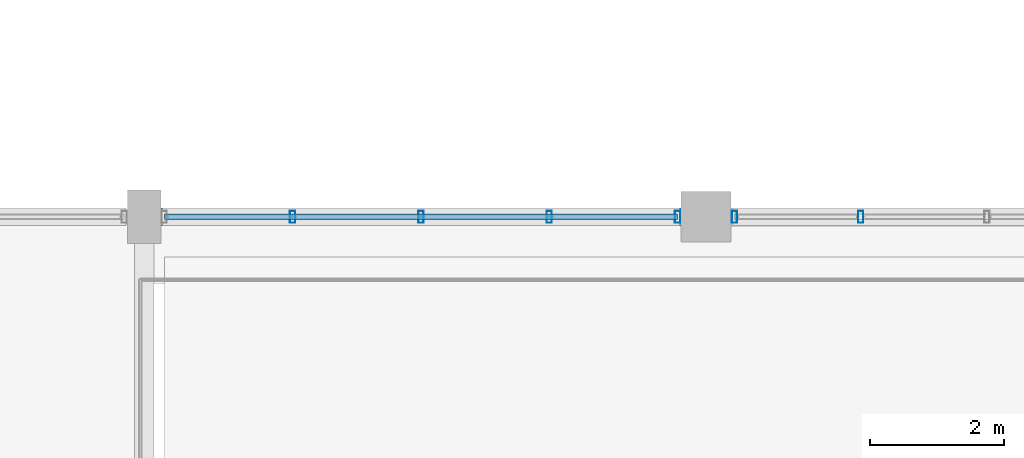
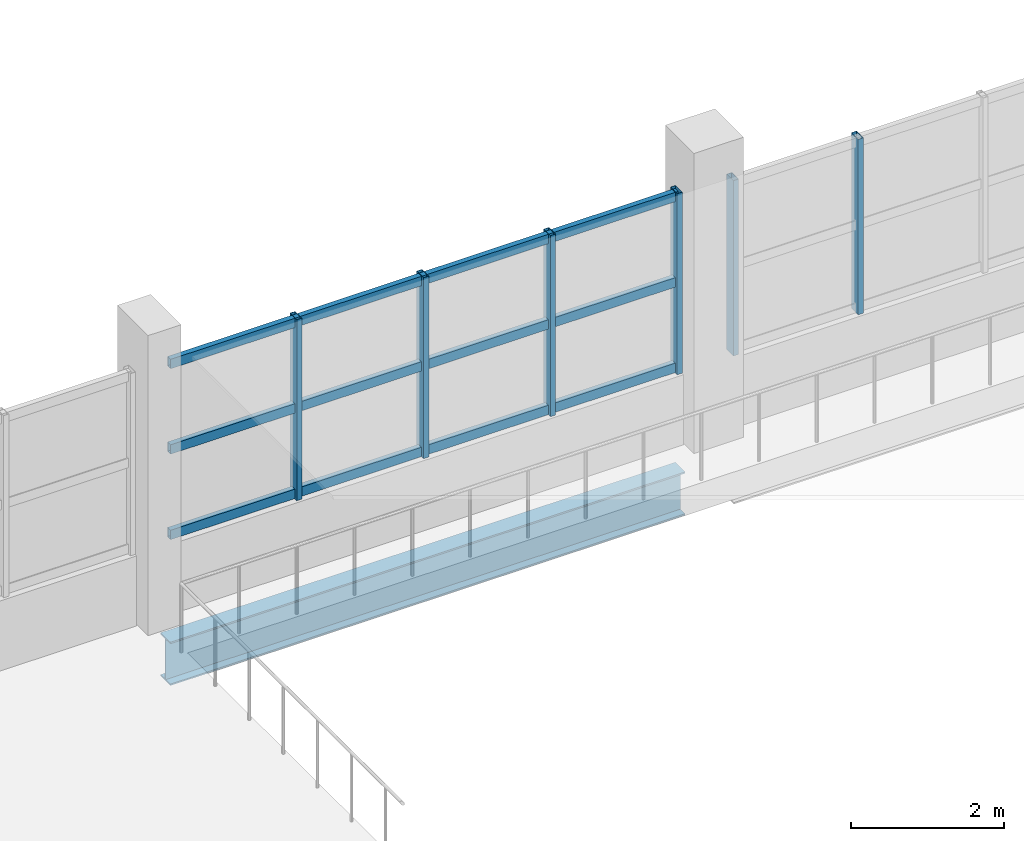
# One storey, part 35 of 77: 9 members, 1 beam, 2 elements without a shape of their own.
"""IFC4 building model written with IfcOpenShell, lengths in metres."""

import ifcopenshell
import ifcopenshell.guid

model = None  # the IFC model being written
_history = None  # IfcOwnerHistory: only IFC2X3 demands one
_inside = {}  # id of a spatial element -> (the spatial element, [elements in it])
_under = {}  # id of a project, library or spatial element -> (it, [spatial elements below it])
_declared = {}  # id of a project -> (the project, [libraries it declares])
_typed = {}  # id of a type object -> (the type object, [elements of that type])
_made_of = {}  # id of a material, layer set ... -> (it, [elements and type objects made of it])


def new_model(schema):
    """Start an empty IFC model of exactly this schema.

    Asked for "IFC4X3", IfcOpenShell would pick the latest addendum, in which some entities
    have other attributes; the version numbers below select the first issue.
    IFC2X3 requires an IfcOwnerHistory on every rooted entity: one is made here for all.
    """
    global model, _history
    if schema == "IFC4X3":
        model = ifcopenshell.file(schema_version=(4, 3, 0, 0))
    else:
        model = ifcopenshell.file(schema=schema)
    _inside.clear()
    _under.clear()
    _declared.clear()
    _typed.clear()
    _made_of.clear()
    _history = None
    if model.schema == "IFC2X3":
        org = make("IfcOrganization", Name="unknown")
        user = make(
            "IfcPersonAndOrganization",
            ThePerson=make("IfcPerson", FamilyName="unknown"),
            TheOrganization=org,
        )
        app = make(
            "IfcApplication",
            ApplicationDeveloper=org,
            Version="unknown",
            ApplicationFullName="unknown",
            ApplicationIdentifier="unknown",
        )
        _history = make(
            "IfcOwnerHistory",
            OwningUser=user,
            OwningApplication=app,
            ChangeAction="ADDED",
            CreationDate=0,
        )
    return model


def make(cls, **values):
    """One entity of the class cls with the attributes given. An attribute that is None is left unset."""
    return model.create_entity(
        cls, **{name: value for name, value in values.items() if value is not None}
    )


def rooted(cls, **values):
    """An entity with a GlobalId (a new one), such as an element, a storey or a relation."""
    return make(cls, GlobalId=ifcopenshell.guid.new(), OwnerHistory=_history, **values)


def si_unit(unit_type, name, prefix=None):
    """IfcSIUnit, for example si_unit("LENGTHUNIT", "METRE", prefix="MILLI")."""
    return make("IfcSIUnit", UnitType=unit_type, Prefix=prefix, Name=name)


def assignment(units):
    """IfcUnitAssignment: the units of a project."""
    return None if units is None else make("IfcUnitAssignment", Units=units)


def point(xyz):
    """IfcCartesianPoint."""
    return None if xyz is None else make("IfcCartesianPoint", Coordinates=xyz)


def direction(xyz):
    """IfcDirection."""
    return None if xyz is None else make("IfcDirection", DirectionRatios=xyz)


def frame(location, z_axis=None, x_axis=None):
    """IfcAxis2Placement3D, a coordinate frame: its origin and axes. An axis left out is left unset."""
    return make(
        "IfcAxis2Placement3D",
        Location=point(location),
        Axis=direction(z_axis),
        RefDirection=direction(x_axis),
    )


def frame_2d(location, x_axis=None):
    """IfcAxis2Placement2D, a coordinate frame in the plane: its origin and x axis."""
    return make(
        "IfcAxis2Placement2D", Location=point(location), RefDirection=direction(x_axis)
    )


def origin():
    """The frame at (0, 0, 0) with its axes left unset."""
    return frame((0.0, 0.0, 0.0))


def origin_2d():
    """The frame at (0, 0) in the plane with its x axis left unset."""
    return frame_2d((0.0, 0.0))


def place(relative_to, where):
    """IfcLocalPlacement: puts the frame where relative to a parent placement (None: the world)."""
    return make(
        "IfcLocalPlacement", PlacementRelTo=relative_to, RelativePlacement=where
    )


def context(
    kind, dimensions, precision=None, world=None, true_north=None, identifier=None
):
    """IfcGeometricRepresentationContext, for example the 3D "Model" context."""
    return make(
        "IfcGeometricRepresentationContext",
        ContextIdentifier=identifier,
        ContextType=kind,
        CoordinateSpaceDimension=dimensions,
        Precision=precision,
        WorldCoordinateSystem=world,
        TrueNorth=true_north,
    )


def subcontext(parent, identifier, kind, view, scale=None):
    """IfcGeometricRepresentationSubContext, for example "Body" below "Model"."""
    return make(
        "IfcGeometricRepresentationSubContext",
        ContextIdentifier=identifier,
        ContextType=kind,
        ParentContext=parent,
        TargetScale=scale,
        TargetView=view,
    )


def project(units=None, contexts=None):
    """IfcProject with its units and contexts."""
    return rooted(
        "IfcProject",
        Name="project",
        RepresentationContexts=contexts,
        UnitsInContext=assignment(units),
    )


def spatial(cls, under=None, at=None, **own):
    """A site, building, storey or space (cls), placed at a placement, below another one or the project."""
    s = rooted(cls, ObjectPlacement=at, **own)
    if under is not None:
        _under.setdefault(under.id(), (under, []))[1].append(s)
    return s


def profile(cls, at=None, kind="AREA", **sizes):
    """A parametric profile (cls). Its sizes go by their IFC names, for example OverallWidth=200.0."""
    return make(cls, ProfileType=kind, Position=at, **sizes)


def hollow_rectangle(**sizes):
    """IfcRectangleHollowProfileDef."""
    return profile("IfcRectangleHollowProfileDef", **sizes)


def i_section(**sizes):
    """IfcIShapeProfileDef."""
    return profile("IfcIShapeProfileDef", **sizes)


def extrude(swept, where, along, depth):
    """IfcExtrudedAreaSolid: the profile swept, set in the frame where, extruded along a direction by depth."""
    return make(
        "IfcExtrudedAreaSolid",
        SweptArea=swept,
        Position=where,
        ExtrudedDirection=direction(along),
        Depth=depth,
    )


def shape(context_of_items, identifier, shape_type, items):
    """IfcShapeRepresentation: the items that make up one representation, for example the "Body"."""
    return make(
        "IfcShapeRepresentation",
        ContextOfItems=context_of_items,
        RepresentationIdentifier=identifier,
        RepresentationType=shape_type,
        Items=items,
    )


def material(Name=None, Category=None):
    """IfcMaterial."""
    return make("IfcMaterial", Name=Name, Category=Category)


def material_profile(
    of_material, cross_section, Name=None, Category=None, Priority=None
):
    """IfcMaterialProfile: a cross section and its material."""
    return make(
        "IfcMaterialProfile",
        Name=Name,
        Material=of_material,
        Profile=cross_section,
        Priority=Priority,
        Category=Category,
    )


def profile_set(profiles, Name=None, composite=None):
    """IfcMaterialProfileSet."""
    return make(
        "IfcMaterialProfileSet",
        Name=Name,
        MaterialProfiles=profiles,
        CompositeProfile=composite,
    )


def made_of(thing, what):
    """Note that an element or type object is made of a material, layer set ...; save() writes the relation."""
    if what is not None:
        _made_of.setdefault(what.id(), (what, []))[1].append(thing)
    return thing


def type_object(cls, material=None, **own):
    """A type object (cls), such as IfcWallType, which elements share."""
    return made_of(rooted(cls, **own), material)


def element(
    cls,
    number,
    at=None,
    inside=None,
    cuts=None,
    type_object=None,
    material=None,
    context=None,
    identifier="Body",
    shape_type=None,
    held_by="IfcProductDefinitionShape",
    body=None,
    shapes=None,
    **own,
):
    """One element of the class cls, such as IfcWall. Its Tag is "e" and its number.

    at: its placement. inside: the storey or other place that contains it. cuts: it is an
    opening in that element (IfcRelVoidsElement). A single representation is given by context,
    identifier, shape_type and body (its items); several are given by shapes. held_by: the class
    of the entity that holds the representations. save() writes the other relations.
    """
    e = rooted(cls, Tag="e%d" % number, ObjectPlacement=at, **own)
    if body is not None:
        shapes = [shape(context, identifier, shape_type, body)]
    if shapes is not None:
        e.Representation = make(held_by, Representations=shapes)
    if inside is not None:
        _inside.setdefault(inside.id(), (inside, []))[1].append(e)
    if cuts is not None:
        rooted(
            "IfcRelVoidsElement", RelatingBuildingElement=cuts, RelatedOpeningElement=e
        )
    if type_object is not None:
        _typed.setdefault(type_object.id(), (type_object, []))[1].append(e)
    return made_of(e, material)


def aggregate(whole, parts):
    """IfcRelAggregates: a whole, such as a stair, and the parts it consists of."""
    return rooted("IfcRelAggregates", RelatingObject=whole, RelatedObjects=parts)


def save(model, path):
    """Write the relations noted so far, then the file.

    IfcRelAggregates (storeys below a building ...), IfcRelContainedInSpatialStructure (elements
    in a storey), IfcRelDefinesByType, IfcRelAssociatesMaterial and IfcRelDeclares: one each for
    every whole, place, type object, material and project.
    """
    for whole, parts in _under.values():
        aggregate(whole, parts)
    for where, things in _inside.values():
        rooted(
            "IfcRelContainedInSpatialStructure",
            RelatedElements=things,
            RelatingStructure=where,
        )
    for kind, things in _typed.values():
        rooted("IfcRelDefinesByType", RelatedObjects=things, RelatingType=kind)
    for what, things in _made_of.values():
        rooted("IfcRelAssociatesMaterial", RelatedObjects=things, RelatingMaterial=what)
    for by, libraries in _declared.values():
        rooted("IfcRelDeclares", RelatingContext=by, RelatedDefinitions=libraries)
    model.write(path)


model = new_model("IFC4")

# Units and contexts
model_context = context("Model", 3, precision=1e-05, world=origin(), true_north=direction((0.0, 1.0)))
body_context = subcontext(model_context, "Body", "Model", "MODEL_VIEW")
ifc_project = project(units=[si_unit("LENGTHUNIT", "METRE"), si_unit("AREAUNIT", "SQUARE_METRE"), si_unit("VOLUMEUNIT", "CUBIC_METRE"), si_unit("PLANEANGLEUNIT", "RADIAN"), si_unit("MASSUNIT", "GRAM", prefix="KILO")], contexts=[model_context])

# Site, building, storey
site_placement = place(None, origin())
site = spatial("IfcSite", under=ifc_project, at=site_placement, CompositionType="ELEMENT")
building_placement = place(site_placement, origin())
building = spatial("IfcBuilding", under=site, at=building_placement, Name="Solvento Point Concert Hall", CompositionType="ELEMENT")
storey_placement = place(building_placement, frame((0.0, 0.0, 10.199951171875)))
storey = spatial("IfcBuildingStorey", under=building, at=storey_placement, Name="L02", CompositionType="ELEMENT", Elevation=10.199951171875)

# Beam
ifc_material_1 = material(Name="Structural Steel ASTM A992 Grade 50", Category="steel")
ifc_material_profile_1 = material_profile(ifc_material_1, i_section(OverallWidth=0.256103515625, OverallDepth=0.693115234375, WebThickness=0.014404296875, FlangeThickness=0.023681640625, at=origin_2d()), Name="W27X114")
ifc_profile_set_1 = profile_set([ifc_material_profile_1], Name="Structural Steel ASTM A992 Grade 50")
beam_type = type_object("IfcBeamType", Name="Girder_W27X114", PredefinedType="USERDEFINED", material=ifc_profile_set_1)
beam_placement = place(storey_placement, frame((158.64404296875, 25.5, -0.79052734375), z_axis=(1.0, 0.0, 0.0), x_axis=(0.0, 1.0, 0.0)))
element("IfcBeam", 1, at=beam_placement, inside=storey, type_object=beam_type, Name="Primary girder B-23 L02", ObjectType="GIRDER", PredefinedType="USERDEFINED", context=body_context, shape_type="SweptSolid", body=[
    extrude(i_section(OverallWidth=0.256103515625, OverallDepth=0.693115234375, WebThickness=0.014404296875, FlangeThickness=0.023681640625, at=origin_2d()), origin(), (0.0, 0.0, 1.0), 7.786865234375),
])

# Curtain wall, members
ifc_material_2 = material(Name="Anodized Bronze Aluminium", Category="aluminium")
curtain_wall_type = type_object("IfcCurtainWallType", Name="CurtainWall_ChamberCircle", PredefinedType="USERDEFINED", material=ifc_material_2)
curtain_wall_1_placement = place(storey_placement, origin())
curtain_wall_1 = element("IfcCurtainWall", 2, at=curtain_wall_1_placement, inside=storey, type_object=curtain_wall_type, Name="Unitised curtain wall CW-32 UCW-L02-146", ObjectType="UNITISED CURTAIN WALL", PredefinedType="USERDEFINED")
ifc_material_3 = material(Name="Anodized Bronze Aluminium", Category="aluminium")
ifc_material_profile_2 = material_profile(ifc_material_3, hollow_rectangle(XDim=0.080078125, YDim=0.179931640625, WallThickness=0.00390625, at=origin_2d()), Name="CW-MUL-80X180")
ifc_profile_set_2 = profile_set([ifc_material_profile_2], Name="Anodized Bronze Aluminium")
member_type_1 = type_object("IfcMemberType", Name="Mullion_80x180", PredefinedType="MULLION", material=ifc_profile_set_2)
member_1_placement = place(storey_placement, frame((160.61865234375, 25.5, 1.1201171875), z_axis=(0.0, 0.0, 1.0), x_axis=(1.0, 0.0, 0.0)))
member_1 = element("IfcMember", 3, at=member_1_placement, type_object=member_type_1, Name="Curtain wall mullion ML-01", PredefinedType="MULLION", context=body_context, shape_type="SweptSolid", body=[
    extrude(hollow_rectangle(XDim=0.080078125, YDim=0.179931640625, WallThickness=0.00390625, at=origin_2d()), origin(), (0.0, 0.0, 1.0), 2.89404296875),
])
member_2_placement = place(storey_placement, frame((162.53759765625, 25.5, 1.1201171875), z_axis=(0.0, 0.0, 1.0), x_axis=(1.0, 0.0, 0.0)))
member_2 = element("IfcMember", 4, at=member_2_placement, type_object=member_type_1, Name="Curtain wall mullion ML-01", PredefinedType="MULLION", context=body_context, shape_type="SweptSolid", body=[
    extrude(hollow_rectangle(XDim=0.080078125, YDim=0.179931640625, WallThickness=0.00390625, at=origin_2d()), origin(), (0.0, 0.0, 1.0), 2.89404296875),
])
member_3_placement = place(storey_placement, frame((164.456298828125, 25.5, 1.1201171875), z_axis=(0.0, 0.0, 1.0), x_axis=(1.0, 0.0, 0.0)))
member_3 = element("IfcMember", 5, at=member_3_placement, type_object=member_type_1, Name="Curtain wall mullion ML-01", PredefinedType="MULLION", context=body_context, shape_type="SweptSolid", body=[
    extrude(hollow_rectangle(XDim=0.080078125, YDim=0.179931640625, WallThickness=0.00390625, at=origin_2d()), origin(), (0.0, 0.0, 1.0), 2.89404296875),
])
member_4_placement = place(storey_placement, frame((166.375, 25.5, 1.1201171875), z_axis=(0.0, 0.0, 1.0), x_axis=(1.0, 0.0, 0.0)))
member_4 = element("IfcMember", 6, at=member_4_placement, type_object=member_type_1, Name="Curtain wall mullion ML-01", PredefinedType="MULLION", context=body_context, shape_type="SweptSolid", body=[
    extrude(hollow_rectangle(XDim=0.080078125, YDim=0.179931640625, WallThickness=0.00390625, at=origin_2d()), origin(), (0.0, 0.0, 1.0), 2.89404296875),
])

curtain_wall_2_placement = place(storey_placement, origin())
curtain_wall_2 = element("IfcCurtainWall", 7, at=curtain_wall_2_placement, inside=storey, type_object=curtain_wall_type, Name="Unitised curtain wall CW-32 UCW-L02-147", ObjectType="UNITISED CURTAIN WALL", PredefinedType="USERDEFINED")
member_5_placement = place(storey_placement, frame((167.22509765625, 25.5, 1.1201171875), z_axis=(0.0, 0.0, 1.0), x_axis=(1.0, 0.0, 0.0)))
member_5 = element("IfcMember", 8, at=member_5_placement, type_object=member_type_1, Name="Curtain wall mullion ML-01", PredefinedType="MULLION", context=body_context, shape_type="SweptSolid", body=[
    extrude(hollow_rectangle(XDim=0.080078125, YDim=0.179931640625, WallThickness=0.00390625, at=origin_2d()), origin(), (0.0, 0.0, 1.0), 2.804931640625),
])
member_6_placement = place(storey_placement, frame((169.112548828125, 25.5, 1.1201171875), z_axis=(0.0, 0.0, 1.0), x_axis=(1.0, 0.0, 0.0)))
member_6 = element("IfcMember", 9, at=member_6_placement, type_object=member_type_1, Name="Curtain wall mullion ML-01", PredefinedType="MULLION", context=body_context, shape_type="SweptSolid", body=[
    extrude(hollow_rectangle(XDim=0.080078125, YDim=0.179931640625, WallThickness=0.00390625, at=origin_2d()), origin(), (0.0, 0.0, 1.0), 2.804931640625),
])
aggregate(curtain_wall_2, [member_5, member_6])

# Member
ifc_material_4 = material(Name="Anodized Bronze Aluminium", Category="aluminium")
ifc_material_profile_3 = material_profile(ifc_material_4, hollow_rectangle(XDim=0.080078125, YDim=0.14990234375, WallThickness=0.00390625, at=origin_2d()), Name="CW-TRN-80X150")
ifc_profile_set_3 = profile_set([ifc_material_profile_3], Name="Anodized Bronze Aluminium")
member_type_2 = type_object("IfcMemberType", Name="Transom_80x150", PredefinedType="USERDEFINED", material=ifc_profile_set_3)
member_7_placement = place(storey_placement, frame((158.699951171875, 25.5, 1.199951171875), z_axis=(1.0, 0.0, 0.0), x_axis=(0.0, 1.0, 0.0)))
member_7 = element("IfcMember", 10, at=member_7_placement, type_object=member_type_2, Name="Curtain wall transom TR-01", ObjectType="TRANSOM", PredefinedType="USERDEFINED", context=body_context, shape_type="SweptSolid", body=[
    extrude(hollow_rectangle(XDim=0.080078125, YDim=0.14990234375, WallThickness=0.00390625, at=origin_2d()), origin(), (0.0, 0.0, 1.0), 7.675048828125),
])

member_8_placement = place(storey_placement, frame((158.699951171875, 25.5, 2.567138671875), z_axis=(1.0, 0.0, 0.0), x_axis=(0.0, 1.0, 0.0)))
member_8 = element("IfcMember", 11, at=member_8_placement, type_object=member_type_2, Name="Curtain wall transom TR-01", ObjectType="TRANSOM", PredefinedType="USERDEFINED", context=body_context, shape_type="SweptSolid", body=[
    extrude(hollow_rectangle(XDim=0.080078125, YDim=0.14990234375, WallThickness=0.00390625, at=origin_2d()), origin(), (0.0, 0.0, 1.0), 7.675048828125),
])

member_9_placement = place(storey_placement, frame((158.699951171875, 25.5, 3.93408203125), z_axis=(1.0, 0.0, 0.0), x_axis=(0.0, 1.0, 0.0)))
member_9 = element("IfcMember", 12, at=member_9_placement, type_object=member_type_2, Name="Curtain wall transom TR-01", ObjectType="TRANSOM", PredefinedType="USERDEFINED", context=body_context, shape_type="SweptSolid", body=[
    extrude(hollow_rectangle(XDim=0.080078125, YDim=0.14990234375, WallThickness=0.00390625, at=origin_2d()), origin(), (0.0, 0.0, 1.0), 7.675048828125),
])

aggregate(curtain_wall_1, [member_1, member_2, member_3, member_4, member_7, member_8, member_9])

save(model, "model.ifc")
